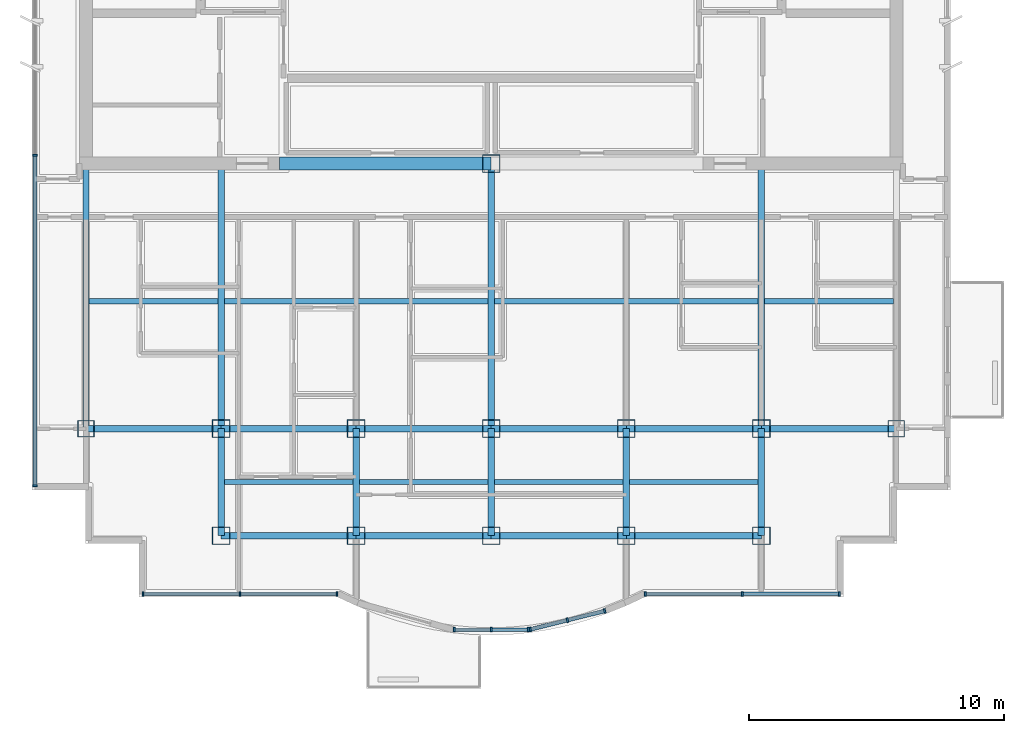
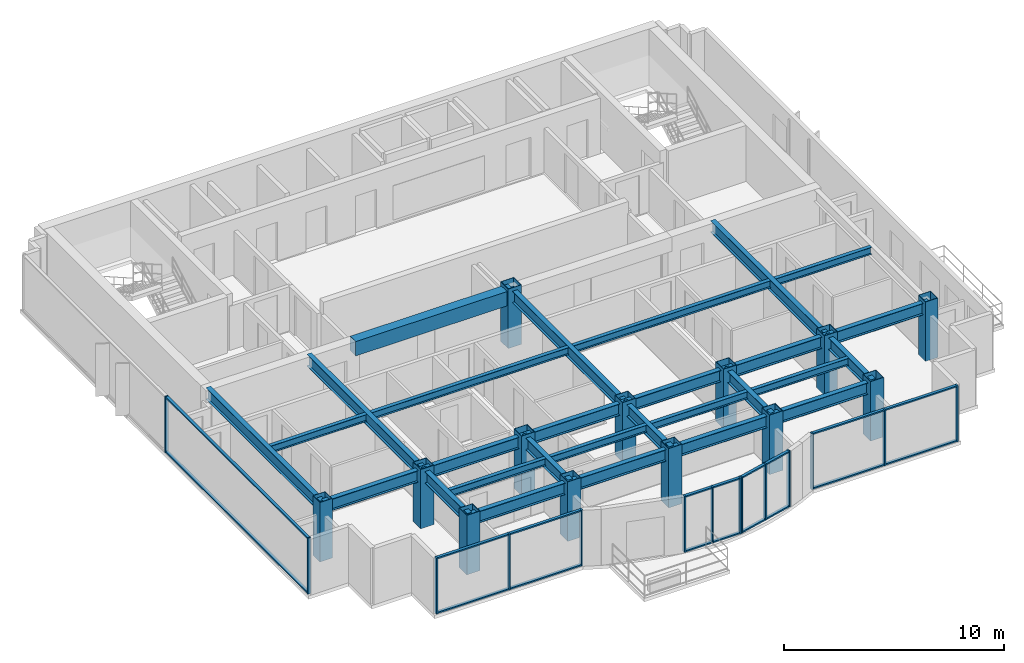
# One storey, part 1 of 9: 32 members, 28 beams, 13 columns, 5 elements without a shape of their own.
"""IFC4 building model written with IfcOpenShell, lengths in metres."""

from ifc_helpers import new_model, si_unit, direction, frame, origin, origin_2d, place, context, subcontext, project, spatial, rectangle, hollow_rectangle, i_section, extrude, source, transform, mapped, material, layer, layer_set, material_profile, profile_set, type_object, element, aggregate, save


model = new_model("IFC4")

# Units and contexts
model_context = context("Model", 3, precision=1e-05, world=origin(), true_north=direction((0.0, 1.0)))
body_context = subcontext(model_context, "Body", "Model", "MODEL_VIEW")
ifc_project = project(units=[si_unit("LENGTHUNIT", "METRE"), si_unit("AREAUNIT", "SQUARE_METRE"), si_unit("VOLUMEUNIT", "CUBIC_METRE"), si_unit("PLANEANGLEUNIT", "RADIAN"), si_unit("MASSUNIT", "GRAM", prefix="KILO")], contexts=[model_context])

# Site, building, storey
site_placement = place(None, origin())
site = spatial("IfcSite", under=ifc_project, at=site_placement, CompositionType="ELEMENT")
building_placement = place(site_placement, origin())
building = spatial("IfcBuilding", under=site, at=building_placement, Name="Qianlan Lanfeng Residences", CompositionType="ELEMENT")
storey_placement = place(building_placement, frame((0.0, 0.0, 242.89990234375)))
storey = spatial("IfcBuildingStorey", under=building, at=storey_placement, Name="L67", CompositionType="ELEMENT", Elevation=242.89990234375)

# Columns
ifc_material_1 = material(Name="Steel SN490B", Category="steel")
ifc_material_profile_1 = material_profile(ifc_material_1, hollow_rectangle(XDim=0.699951171875, YDim=0.699951171875, WallThickness=0.02490234375, at=origin_2d()), Name="BOX 700x700x25")
ifc_profile_set_1 = profile_set([ifc_material_profile_1], Name="Steel SN490B")
column_type_1 = type_object("IfcColumnType", Name="C-B750", PredefinedType="COLUMN", material=ifc_profile_set_1)
for number, where, z_axis, x_axis, name in (
    (1, (26.5, 25.199951171875, 0.0), (0.0, 0.0, 1.0), (1.0, 0.0, 0.0), "L67 Structural Column CP_26.5_25.2"),
    (2, (15.89990234375, 14.800048828125, 0.0), (0.0, 0.0, 1.0), (1.0, 0.0, 0.0), "L67 Structural Column M_15.90_14.80"),
    (3, (15.89990234375, 10.60009765625, 0.0), (0.0, 0.0, 1.0), (1.0, 0.0, 0.0), "L67 Structural Column G_15.90_10.60"),
    (4, (21.199951171875, 14.800048828125, 0.0), (0.0, 0.0, 1.0), (1.0, 0.0, 0.0), "L67 Structural Column M_21.20_14.80"),
    (5, (21.199951171875, 10.60009765625, 0.0), (0.0, 0.0, 1.0), (1.0, 0.0, 0.0), "L67 Structural Column G_21.20_10.60"),
    (6, (26.5, 14.800048828125, 0.0), (0.0, 0.0, 1.0), (1.0, 0.0, 0.0), "L67 Structural Column M_26.50_14.80"),
    (7, (26.5, 10.60009765625, 0.0), (0.0, 0.0, 1.0), (1.0, 0.0, 0.0), "L67 Structural Column G_26.50_10.60"),
    (8, (31.800048828125, 14.800048828125, 0.0), (0.0, 0.0, 1.0), (1.0, 0.0, 0.0), "L67 Structural Column M_31.80_14.80"),
    (9, (31.800048828125, 10.60009765625, 0.0), (0.0, 0.0, 1.0), (1.0, 0.0, 0.0), "L67 Structural Column G_31.80_10.60"),
    (10, (37.10009765625, 14.800048828125, 0.0), (0.0, 0.0, 1.0), (1.0, 0.0, 0.0), "L67 Structural Column M_37.10_14.80"),
    (11, (37.10009765625, 10.60009765625, 0.0), (0.0, 0.0, 1.0), (1.0, 0.0, 0.0), "L67 Structural Column G_37.10_10.60"),
):
    element("IfcColumn", number, at=place(storey_placement, frame(where, z_axis=z_axis, x_axis=x_axis)), inside=storey, type_object=column_type_1, Name=name, PredefinedType="COLUMN", context=body_context, shape_type="SweptSolid", body=[
        extrude(hollow_rectangle(XDim=0.699951171875, YDim=0.699951171875, WallThickness=0.02490234375, at=origin_2d()), origin(), (0.0, 0.0, 1.0), 3.300048828125),
    ])
ifc_material_profile_2 = material_profile(ifc_material_1, hollow_rectangle(XDim=0.64990234375, YDim=0.64990234375, WallThickness=0.02197265625, at=origin_2d()), Name="BOX 650x650x22")
ifc_profile_set_2 = profile_set([ifc_material_profile_2], Name="Steel SN490B")
column_type_2 = type_object("IfcColumnType", Name="CE-B700", PredefinedType="COLUMN", material=ifc_profile_set_2)
for number, where, z_axis, x_axis, name in (
    (12, (10.60009765625, 14.800048828125, 0.0), (0.0, 0.0, 1.0), (1.0, 0.0, 0.0), "L67 Structural Column M_10.60_14.80"),
    (13, (42.39990234375, 14.800048828125, 0.0), (0.0, 0.0, 1.0), (1.0, 0.0, 0.0), "L67 Structural Column M_42.40_14.80"),
):
    element("IfcColumn", number, at=place(storey_placement, frame(where, z_axis=z_axis, x_axis=x_axis)), inside=storey, type_object=column_type_2, Name=name, PredefinedType="COLUMN", context=body_context, shape_type="SweptSolid", body=[
        extrude(hollow_rectangle(XDim=0.64990234375, YDim=0.64990234375, WallThickness=0.02197265625, at=origin_2d()), origin(), (0.0, 0.0, 1.0), 3.300048828125),
    ])

# Beams
ifc_material_profile_3 = material_profile(ifc_material_1, i_section(OverallWidth=0.25, OverallDepth=0.64990234375, WebThickness=0.012939453125, FlangeThickness=0.02197265625, at=origin_2d()), Name="H 650x250x13x22")
ifc_profile_set_3 = profile_set([ifc_material_profile_3], Name="Steel SN490B")
beam_type_1 = type_object("IfcBeamType", Name="G-650", PredefinedType="BEAM", material=ifc_profile_set_3)
for number, where, z_axis, x_axis, name in (
    (14, (15.89990234375, 10.60009765625, 2.78515625), (1.0, 0.0, 0.0), (0.0, 1.0, 0.0), "Structural beam G-650"),
    (15, (21.199951171875, 10.60009765625, 2.78515625), (1.0, 0.0, 0.0), (0.0, 1.0, 0.0), "Structural beam G-650"),
    (16, (26.5, 10.60009765625, 2.78515625), (1.0, 0.0, 0.0), (0.0, 1.0, 0.0), "Structural beam G-650"),
    (17, (31.800048828125, 10.60009765625, 2.78515625), (1.0, 0.0, 0.0), (0.0, 1.0, 0.0), "Structural beam G-650"),
):
    element("IfcBeam", number, at=place(storey_placement, frame(where, z_axis=z_axis, x_axis=x_axis)), inside=storey, type_object=beam_type_1, Name=name, PredefinedType="BEAM", context=body_context, shape_type="SweptSolid", body=[
        extrude(i_section(OverallWidth=0.25, OverallDepth=0.64990234375, WebThickness=0.012939453125, FlangeThickness=0.02197265625, at=origin_2d()), origin(), (0.0, 0.0, 1.0), 5.300048828125),
    ])
beam_1_placement = place(storey_placement, frame((10.60009765625, 14.800048828125, 2.78515625), z_axis=(1.0, 0.0, 0.0), x_axis=(0.0, 1.0, 0.0)))
element("IfcBeam", 18, at=beam_1_placement, inside=storey, type_object=beam_type_1, Name="Structural beam G-650", PredefinedType="BEAM", context=body_context, shape_type="SweptSolid", body=[
    extrude(i_section(OverallWidth=0.25, OverallDepth=0.64990234375, WebThickness=0.012939453125, FlangeThickness=0.02197265625, at=origin_2d()), origin(), (0.0, 0.0, 1.0), 5.2998046875),
])
for number, where, z_axis, x_axis, name in (
    (19, (15.89990234375, 14.800048828125, 2.78515625), (1.0, 0.0, 0.0), (0.0, 1.0, 0.0), "Structural beam G-650"),
    (20, (21.199951171875, 14.800048828125, 2.78515625), (1.0, 0.0, 0.0), (0.0, 1.0, 0.0), "Structural beam G-650"),
    (21, (26.5, 14.800048828125, 2.78515625), (1.0, 0.0, 0.0), (0.0, 1.0, 0.0), "Structural beam G-650"),
    (22, (31.800048828125, 14.800048828125, 2.78515625), (1.0, 0.0, 0.0), (0.0, 1.0, 0.0), "Structural beam G-650"),
):
    element("IfcBeam", number, at=place(storey_placement, frame(where, z_axis=z_axis, x_axis=x_axis)), inside=storey, type_object=beam_type_1, Name=name, PredefinedType="BEAM", context=body_context, shape_type="SweptSolid", body=[
        extrude(i_section(OverallWidth=0.25, OverallDepth=0.64990234375, WebThickness=0.012939453125, FlangeThickness=0.02197265625, at=origin_2d()), origin(), (0.0, 0.0, 1.0), 5.300048828125),
    ])
beam_2_placement = place(storey_placement, frame((37.10009765625, 14.800048828125, 2.78515625), z_axis=(1.0, 0.0, 0.0), x_axis=(0.0, 1.0, 0.0)))
element("IfcBeam", 23, at=beam_2_placement, inside=storey, type_object=beam_type_1, Name="Structural beam G-650", PredefinedType="BEAM", context=body_context, shape_type="SweptSolid", body=[
    extrude(i_section(OverallWidth=0.25, OverallDepth=0.64990234375, WebThickness=0.012939453125, FlangeThickness=0.02197265625, at=origin_2d()), origin(), (0.0, 0.0, 1.0), 5.2998046875),
])
beam_3_placement = place(storey_placement, frame((10.60009765625, 14.800048828125, 2.78515625), z_axis=(0.0, 1.0, 0.0), x_axis=(-1.0, 0.0, 0.0)))
element("IfcBeam", 24, at=beam_3_placement, inside=storey, type_object=beam_type_1, Name="Structural beam G-650", PredefinedType="BEAM", context=body_context, shape_type="SweptSolid", body=[
    extrude(i_section(OverallWidth=0.25, OverallDepth=0.64990234375, WebThickness=0.012939453125, FlangeThickness=0.02197265625, at=origin_2d()), origin(), (0.0, 0.0, 1.0), 10.39990234375),
])
beam_4_placement = place(storey_placement, frame((15.89990234375, 10.60009765625, 2.78515625), z_axis=(0.0, 1.0, 0.0), x_axis=(-1.0, 0.0, 0.0)))
element("IfcBeam", 25, at=beam_4_placement, inside=storey, type_object=beam_type_1, Name="Structural beam G-650", PredefinedType="BEAM", context=body_context, shape_type="SweptSolid", body=[
    extrude(i_section(OverallWidth=0.25, OverallDepth=0.64990234375, WebThickness=0.012939453125, FlangeThickness=0.02197265625, at=origin_2d()), origin(), (0.0, 0.0, 1.0), 4.199951171875),
])
beam_5_placement = place(storey_placement, frame((15.89990234375, 14.800048828125, 2.78515625), z_axis=(0.0, 1.0, 0.0), x_axis=(-1.0, 0.0, 0.0)))
element("IfcBeam", 26, at=beam_5_placement, inside=storey, type_object=beam_type_1, Name="Structural beam G-650", PredefinedType="BEAM", context=body_context, shape_type="SweptSolid", body=[
    extrude(i_section(OverallWidth=0.25, OverallDepth=0.64990234375, WebThickness=0.012939453125, FlangeThickness=0.02197265625, at=origin_2d()), origin(), (0.0, 0.0, 1.0), 10.39990234375),
])
for number, where, z_axis, x_axis, name in (
    (27, (21.199951171875, 10.60009765625, 2.78515625), (0.0, 1.0, 0.0), (-1.0, 0.0, 0.0), "Structural beam G-650"),
    (28, (26.5, 10.60009765625, 2.78515625), (0.0, 1.0, 0.0), (-1.0, 0.0, 0.0), "Structural beam G-650"),
):
    element("IfcBeam", number, at=place(storey_placement, frame(where, z_axis=z_axis, x_axis=x_axis)), inside=storey, type_object=beam_type_1, Name=name, PredefinedType="BEAM", context=body_context, shape_type="SweptSolid", body=[
        extrude(i_section(OverallWidth=0.25, OverallDepth=0.64990234375, WebThickness=0.012939453125, FlangeThickness=0.02197265625, at=origin_2d()), origin(), (0.0, 0.0, 1.0), 4.199951171875),
    ])
beam_6_placement = place(storey_placement, frame((26.5, 14.800048828125, 2.78515625), z_axis=(0.0, 1.0, 0.0), x_axis=(-1.0, 0.0, 0.0)))
element("IfcBeam", 29, at=beam_6_placement, inside=storey, type_object=beam_type_1, Name="Structural beam G-650", PredefinedType="BEAM", context=body_context, shape_type="SweptSolid", body=[
    extrude(i_section(OverallWidth=0.25, OverallDepth=0.64990234375, WebThickness=0.012939453125, FlangeThickness=0.02197265625, at=origin_2d()), origin(), (0.0, 0.0, 1.0), 10.39990234375),
])
for number, where, z_axis, x_axis, name in (
    (30, (31.800048828125, 10.60009765625, 2.78515625), (0.0, 1.0, 0.0), (-1.0, 0.0, 0.0), "Structural beam G-650"),
    (31, (37.10009765625, 10.60009765625, 2.78515625), (0.0, 1.0, 0.0), (-1.0, 0.0, 0.0), "Structural beam G-650"),
):
    element("IfcBeam", number, at=place(storey_placement, frame(where, z_axis=z_axis, x_axis=x_axis)), inside=storey, type_object=beam_type_1, Name=name, PredefinedType="BEAM", context=body_context, shape_type="SweptSolid", body=[
        extrude(i_section(OverallWidth=0.25, OverallDepth=0.64990234375, WebThickness=0.012939453125, FlangeThickness=0.02197265625, at=origin_2d()), origin(), (0.0, 0.0, 1.0), 4.199951171875),
    ])
beam_7_placement = place(storey_placement, frame((37.10009765625, 14.800048828125, 2.78515625), z_axis=(0.0, 1.0, 0.0), x_axis=(-1.0, 0.0, 0.0)))
element("IfcBeam", 32, at=beam_7_placement, inside=storey, type_object=beam_type_1, Name="Structural beam G-650", PredefinedType="BEAM", context=body_context, shape_type="SweptSolid", body=[
    extrude(i_section(OverallWidth=0.25, OverallDepth=0.64990234375, WebThickness=0.012939453125, FlangeThickness=0.02197265625, at=origin_2d()), origin(), (0.0, 0.0, 1.0), 10.39990234375),
])
ifc_material_profile_4 = material_profile(ifc_material_1, i_section(OverallWidth=0.199951171875, OverallDepth=0.39990234375, WebThickness=0.008056640625, FlangeThickness=0.012939453125, at=origin_2d()), Name="H 400x200x8x13")
ifc_profile_set_4 = profile_set([ifc_material_profile_4], Name="Steel SN490B")
beam_type_2 = type_object("IfcBeamType", Name="J-400", PredefinedType="JOIST", material=ifc_profile_set_4)
for number, where, z_axis, x_axis, name in (
    (33, (16.02490234375, 12.699951171875, 2.91015625), (1.0, 0.0, 0.0), (0.0, 1.0, 0.0), "Structural beam J-400"),
    (34, (21.324951171875, 12.699951171875, 2.91015625), (1.0, 0.0, 0.0), (0.0, 1.0, 0.0), "Structural beam J-400"),
    (35, (26.625, 12.699951171875, 2.91015625), (1.0, 0.0, 0.0), (0.0, 1.0, 0.0), "Structural beam J-400"),
    (36, (31.925048828125, 12.699951171875, 2.91015625), (1.0, 0.0, 0.0), (0.0, 1.0, 0.0), "Structural beam J-400"),
):
    element("IfcBeam", number, at=place(storey_placement, frame(where, z_axis=z_axis, x_axis=x_axis)), inside=storey, type_object=beam_type_2, Name=name, PredefinedType="JOIST", context=body_context, shape_type="SweptSolid", body=[
        extrude(i_section(OverallWidth=0.199951171875, OverallDepth=0.39990234375, WebThickness=0.008056640625, FlangeThickness=0.012939453125, at=origin_2d()), origin(), (0.0, 0.0, 1.0), 5.050048828125),
    ])
beam_8_placement = place(storey_placement, frame((10.72509765625, 19.800048828125, 2.91015625), z_axis=(1.0, 0.0, 0.0), x_axis=(0.0, 1.0, 0.0)))
element("IfcBeam", 37, at=beam_8_placement, inside=storey, type_object=beam_type_2, Name="Structural beam J-400", PredefinedType="JOIST", context=body_context, shape_type="SweptSolid", body=[
    extrude(i_section(OverallWidth=0.199951171875, OverallDepth=0.39990234375, WebThickness=0.008056640625, FlangeThickness=0.012939453125, at=origin_2d()), origin(), (0.0, 0.0, 1.0), 5.0498046875),
])
for number, where, z_axis, x_axis, name in (
    (38, (16.02490234375, 19.800048828125, 2.91015625), (1.0, 0.0, 0.0), (0.0, 1.0, 0.0), "Structural beam J-400"),
    (39, (26.625, 19.800048828125, 2.91015625), (1.0, 0.0, 0.0), (0.0, 1.0, 0.0), "Structural beam J-400"),
):
    element("IfcBeam", number, at=place(storey_placement, frame(where, z_axis=z_axis, x_axis=x_axis)), inside=storey, type_object=beam_type_2, Name=name, PredefinedType="JOIST", context=body_context, shape_type="SweptSolid", body=[
        extrude(i_section(OverallWidth=0.199951171875, OverallDepth=0.39990234375, WebThickness=0.008056640625, FlangeThickness=0.012939453125, at=origin_2d()), origin(), (0.0, 0.0, 1.0), 10.35009765625),
    ])
beam_9_placement = place(storey_placement, frame((37.22509765625, 19.800048828125, 2.91015625), z_axis=(1.0, 0.0, 0.0), x_axis=(0.0, 1.0, 0.0)))
element("IfcBeam", 40, at=beam_9_placement, inside=storey, type_object=beam_type_2, Name="Structural beam J-400", PredefinedType="JOIST", context=body_context, shape_type="SweptSolid", body=[
    extrude(i_section(OverallWidth=0.199951171875, OverallDepth=0.39990234375, WebThickness=0.008056640625, FlangeThickness=0.012939453125, at=origin_2d()), origin(), (0.0, 0.0, 1.0), 5.0498046875),
])
ifc_material_2 = material(Name="Concrete C49", Category="concrete")
ifc_material_profile_5 = material_profile(ifc_material_2, rectangle(XDim=0.5, YDim=0.800048828125, at=origin_2d()), Name="RC 500x800")
ifc_profile_set_5 = profile_set([ifc_material_profile_5], Name="Concrete C49")
beam_type_3 = type_object("IfcBeamType", Name="LB-RC750", PredefinedType="BEAM", material=ifc_profile_set_5)
beam_10_placement = place(storey_placement, frame((18.199951171875, 25.199951171875, 2.710205078125), z_axis=(1.0, 0.0, 0.0), x_axis=(0.0, 1.0, 0.0)))
element("IfcBeam", 41, at=beam_10_placement, inside=storey, type_object=beam_type_3, Name="L67 Core Coupling Beam W", PredefinedType="BEAM", context=body_context, shape_type="SweptSolid", body=[
    extrude(rectangle(XDim=0.5, YDim=0.800048828125, at=origin_2d()), origin(), (0.0, 0.0, 1.0), 8.300048828125),
])

# Curtain wall, members
ifc_material_3 = material(Name="Anodised Bronze Aluminium 6063-T6", Category="aluminium")
ifc_layer = layer(ifc_material_3, 0.219970703125)
ifc_layer_set = layer_set([ifc_layer], Name="Anodised Bronze Aluminium 6063-T6")
curtain_wall_type = type_object("IfcCurtainWallType", Name="CW-06", PredefinedType="NOTDEFINED", material=ifc_layer_set)
curtain_wall_1_placement = place(storey_placement, origin())
curtain_wall_1 = element("IfcCurtainWall", 42, at=curtain_wall_1_placement, inside=storey, type_object=curtain_wall_type, Name="L67 Unitised Curtain Wall CWR-L67-01 (CW-06)", PredefinedType="NOTDEFINED")
ifc_material_profile_6 = material_profile(ifc_material_3, rectangle(XDim=0.074951171875, YDim=0.179931640625, at=origin_2d()), Name="ALU MULLION 75x180")
ifc_profile_set_6 = profile_set([ifc_material_profile_6], Name="Anodised Bronze Aluminium 6063-T6")
member_type_1 = type_object("IfcMemberType", Name="CWM-180", PredefinedType="MULLION", material=ifc_profile_set_6)
shared_shape_1 = source(origin(), body_context, "Body", "SweptSolid", [
    extrude(rectangle(XDim=0.074951171875, YDim=0.179931640625, at=origin_2d()), origin(), (0.0, 0.0, 1.0), 3.110107421875),
])
member_1_placement = place(storey_placement, frame((12.83740234375, 8.320068359375, 0.0), z_axis=(0.0, 0.0, 1.0), x_axis=(1.0, 0.0, 0.0)))
member_1 = element("IfcMember", 43, at=member_1_placement, type_object=member_type_1, Name="CWR-L67-01 Mullion 1", PredefinedType="MULLION", context=body_context, shape_type="MappedRepresentation", body=[
    mapped(shared_shape_1, transform((0.0, 0.0, 0.0), scale=1.0)),
])
member_2_placement = place(storey_placement, frame((16.6435546875, 8.320068359375, 0.0), z_axis=(0.0, 0.0, 1.0), x_axis=(1.0, 0.0, 0.0)))
member_2 = element("IfcMember", 44, at=member_2_placement, type_object=member_type_1, Name="CWR-L67-01 Mullion 2", PredefinedType="MULLION", context=body_context, shape_type="MappedRepresentation", body=[
    mapped(shared_shape_1, transform((0.0, 0.0, 0.0), scale=1.0)),
])
member_3_placement = place(storey_placement, frame((20.449462890625, 8.320068359375, 0.0), z_axis=(0.0, 0.0, 1.0), x_axis=(1.0, 0.0, 0.0)))
member_3 = element("IfcMember", 45, at=member_3_placement, type_object=member_type_1, Name="CWR-L67-01 Mullion 3", PredefinedType="MULLION", context=body_context, shape_type="MappedRepresentation", body=[
    mapped(shared_shape_1, transform((0.0, 0.0, 0.0), scale=1.0)),
])

curtain_wall_2_placement = place(storey_placement, origin())
curtain_wall_2 = element("IfcCurtainWall", 46, at=curtain_wall_2_placement, inside=storey, type_object=curtain_wall_type, Name="L67 Unitised Curtain Wall CWR-L67-02 (CW-06)", PredefinedType="NOTDEFINED")
member_4_placement = place(storey_placement, frame((25.04248046875, 6.9130859375, 0.0), z_axis=(0.0, 0.0, 1.0), x_axis=(1.0, 0.0, 0.0)))
member_4 = element("IfcMember", 47, at=member_4_placement, type_object=member_type_1, Name="CWR-L67-02 Mullion 1", PredefinedType="MULLION", context=body_context, shape_type="MappedRepresentation", body=[
    mapped(shared_shape_1, transform((0.0, 0.0, 0.0), scale=1.0)),
])
member_5_placement = place(storey_placement, frame((26.5, 6.9130859375, 0.0), z_axis=(0.0, 0.0, 1.0), x_axis=(1.0, 0.0, 0.0)))
member_5 = element("IfcMember", 48, at=member_5_placement, type_object=member_type_1, Name="CWR-L67-02 Mullion 2", PredefinedType="MULLION", context=body_context, shape_type="MappedRepresentation", body=[
    mapped(shared_shape_1, transform((0.0, 0.0, 0.0), scale=1.0)),
])
member_6_placement = place(storey_placement, frame((27.95751953125, 6.9130859375, 0.0), z_axis=(0.0, 0.0, 1.0), x_axis=(1.0, 0.0, 0.0)))
member_6 = element("IfcMember", 49, at=member_6_placement, type_object=member_type_1, Name="CWR-L67-02 Mullion 3", PredefinedType="MULLION", context=body_context, shape_type="MappedRepresentation", body=[
    mapped(shared_shape_1, transform((0.0, 0.0, 0.0), scale=1.0)),
])

curtain_wall_3_placement = place(storey_placement, origin())
curtain_wall_3 = element("IfcCurtainWall", 50, at=curtain_wall_3_placement, inside=storey, type_object=curtain_wall_type, Name="L67 Unitised Curtain Wall CWR-L67-03 (CW-06)", PredefinedType="NOTDEFINED")
member_7_placement = place(storey_placement, frame((28.031494140625, 6.922119140625, 0.0), z_axis=(0.0, 0.0, 1.0), x_axis=(0.970466067332, 0.241237667369, 0.0)))
member_7 = element("IfcMember", 51, at=member_7_placement, type_object=member_type_1, Name="CWR-L67-03 Mullion 1", PredefinedType="MULLION", context=body_context, shape_type="MappedRepresentation", body=[
    mapped(shared_shape_1, transform((0.0, 0.0, 0.0), scale=1.0)),
])
member_8_placement = place(storey_placement, frame((29.491455078125, 7.284912109375, 0.0), z_axis=(0.0, 0.0, 1.0), x_axis=(0.970466067332, 0.241237667369, 0.0)))
member_8 = element("IfcMember", 52, at=member_8_placement, type_object=member_type_1, Name="CWR-L67-03 Mullion 2", PredefinedType="MULLION", context=body_context, shape_type="MappedRepresentation", body=[
    mapped(shared_shape_1, transform((0.0, 0.0, 0.0), scale=1.0)),
])
member_9_placement = place(storey_placement, frame((30.95166015625, 7.64794921875, 0.0), z_axis=(0.0, 0.0, 1.0), x_axis=(0.970466067332, 0.241237667369, 0.0)))
member_9 = element("IfcMember", 53, at=member_9_placement, type_object=member_type_1, Name="CWR-L67-03 Mullion 3", PredefinedType="MULLION", context=body_context, shape_type="MappedRepresentation", body=[
    mapped(shared_shape_1, transform((0.0, 0.0, 0.0), scale=1.0)),
])

curtain_wall_4_placement = place(storey_placement, origin())
curtain_wall_4 = element("IfcCurtainWall", 54, at=curtain_wall_4_placement, inside=storey, type_object=curtain_wall_type, Name="L67 Unitised Curtain Wall CWR-L67-04 (CW-06)", PredefinedType="NOTDEFINED")
member_10_placement = place(storey_placement, frame((32.550537109375, 8.320068359375, 0.0), z_axis=(0.0, 0.0, 1.0), x_axis=(1.0, 0.0, 0.0)))
member_10 = element("IfcMember", 55, at=member_10_placement, type_object=member_type_1, Name="CWR-L67-04 Mullion 1", PredefinedType="MULLION", context=body_context, shape_type="MappedRepresentation", body=[
    mapped(shared_shape_1, transform((0.0, 0.0, 0.0), scale=1.0)),
])
member_11_placement = place(storey_placement, frame((36.3564453125, 8.320068359375, 0.0), z_axis=(0.0, 0.0, 1.0), x_axis=(1.0, 0.0, 0.0)))
member_11 = element("IfcMember", 56, at=member_11_placement, type_object=member_type_1, Name="CWR-L67-04 Mullion 2", PredefinedType="MULLION", context=body_context, shape_type="MappedRepresentation", body=[
    mapped(shared_shape_1, transform((0.0, 0.0, 0.0), scale=1.0)),
])
member_12_placement = place(storey_placement, frame((40.16259765625, 8.320068359375, 0.0), z_axis=(0.0, 0.0, 1.0), x_axis=(1.0, 0.0, 0.0)))
member_12 = element("IfcMember", 57, at=member_12_placement, type_object=member_type_1, Name="CWR-L67-04 Mullion 3", PredefinedType="MULLION", context=body_context, shape_type="MappedRepresentation", body=[
    mapped(shared_shape_1, transform((0.0, 0.0, 0.0), scale=1.0)),
])

curtain_wall_5_placement = place(storey_placement, origin())
curtain_wall_5 = element("IfcCurtainWall", 58, at=curtain_wall_5_placement, inside=storey, type_object=curtain_wall_type, Name="L67 Unitised Curtain Wall CWR-L67-05 (CW-06)", PredefinedType="NOTDEFINED")
member_13_placement = place(storey_placement, frame((8.60009765625, 25.52490234375, 0.0), z_axis=(0.0, 0.0, 1.0), x_axis=(0.0, -1.0, 0.0)))
member_13 = element("IfcMember", 59, at=member_13_placement, type_object=member_type_1, Name="CWR-L67-05 Mullion 2", PredefinedType="MULLION", context=body_context, shape_type="MappedRepresentation", body=[
    mapped(shared_shape_1, transform((0.0, 0.0, 0.0), scale=1.0)),
])
member_14_placement = place(storey_placement, frame((8.60009765625, 12.5576171875, 0.0), z_axis=(0.0, 0.0, 1.0), x_axis=(0.0, -1.0, 0.0)))
member_14 = element("IfcMember", 60, at=member_14_placement, type_object=member_type_1, Name="CWR-L67-05 Mullion 3", PredefinedType="MULLION", context=body_context, shape_type="MappedRepresentation", body=[
    mapped(shared_shape_1, transform((0.0, 0.0, 0.0), scale=1.0)),
])

# Member
ifc_material_profile_7 = material_profile(ifc_material_3, rectangle(XDim=0.074951171875, YDim=0.14990234375, at=origin_2d()), Name="ALU TRANSOM 75x150")
ifc_profile_set_7 = profile_set([ifc_material_profile_7], Name="Anodised Bronze Aluminium 6063-T6")
member_type_2 = type_object("IfcMemberType", Name="CWT-150", PredefinedType="USERDEFINED", material=ifc_profile_set_7)
shared_shape_2 = source(origin(), body_context, "Body", "SweptSolid", [
    extrude(rectangle(XDim=0.074951171875, YDim=0.14990234375, at=origin_2d()), origin(), (0.0, 0.0, 1.0), 3.73095703125),
])
member_15_placement = place(storey_placement, frame((12.875, 8.320068359375, 0.03759765625), z_axis=(1.0, 0.0, 0.0), x_axis=(0.0, 0.0, 1.0)))
member_15 = element("IfcMember", 61, at=member_15_placement, type_object=member_type_2, Name="CWR-L67-01 Transom 1-BOT", ObjectType="TRANSOM", PredefinedType="USERDEFINED", context=body_context, shape_type="MappedRepresentation", body=[
    mapped(shared_shape_2, transform((0.0, 0.0, 0.0), scale=1.0)),
])

member_16_placement = place(storey_placement, frame((12.875, 8.320068359375, 3.072509765625), z_axis=(1.0, 0.0, 0.0), x_axis=(0.0, 0.0, 1.0)))
member_16 = element("IfcMember", 62, at=member_16_placement, type_object=member_type_2, Name="CWR-L67-01 Transom 1-TOP", ObjectType="TRANSOM", PredefinedType="USERDEFINED", context=body_context, shape_type="MappedRepresentation", body=[
    mapped(shared_shape_2, transform((0.0, 0.0, 0.0), scale=1.0)),
])

member_17_placement = place(storey_placement, frame((36.39404296875, 8.320068359375, 0.03759765625), z_axis=(1.0, 0.0, 0.0), x_axis=(0.0, 0.0, 1.0)))
member_17 = element("IfcMember", 63, at=member_17_placement, type_object=member_type_2, Name="CWR-L67-04 Transom 2-BOT", ObjectType="TRANSOM", PredefinedType="USERDEFINED", context=body_context, shape_type="MappedRepresentation", body=[
    mapped(shared_shape_2, transform((0.0, 0.0, 0.0), scale=1.0)),
])

member_18_placement = place(storey_placement, frame((36.39404296875, 8.320068359375, 3.072509765625), z_axis=(1.0, 0.0, 0.0), x_axis=(0.0, 0.0, 1.0)))
member_18 = element("IfcMember", 64, at=member_18_placement, type_object=member_type_2, Name="CWR-L67-04 Transom 2-TOP", ObjectType="TRANSOM", PredefinedType="USERDEFINED", context=body_context, shape_type="MappedRepresentation", body=[
    mapped(shared_shape_2, transform((0.0, 0.0, 0.0), scale=1.0)),
])

shared_shape_3 = source(origin(), body_context, "Body", "SweptSolid", [
    extrude(rectangle(XDim=0.074951171875, YDim=0.14990234375, at=origin_2d()), origin(), (0.0, 0.0, 1.0), 3.731201171875),
])
member_19_placement = place(storey_placement, frame((16.680908203125, 8.320068359375, 0.03759765625), z_axis=(1.0, 0.0, 0.0), x_axis=(0.0, 0.0, 1.0)))
member_19 = element("IfcMember", 65, at=member_19_placement, type_object=member_type_2, Name="CWR-L67-01 Transom 2-BOT", ObjectType="TRANSOM", PredefinedType="USERDEFINED", context=body_context, shape_type="MappedRepresentation", body=[
    mapped(shared_shape_3, transform((0.0, 0.0, 0.0), scale=1.0)),
])

member_20_placement = place(storey_placement, frame((16.680908203125, 8.320068359375, 3.072509765625), z_axis=(1.0, 0.0, 0.0), x_axis=(0.0, 0.0, 1.0)))
member_20 = element("IfcMember", 66, at=member_20_placement, type_object=member_type_2, Name="CWR-L67-01 Transom 2-TOP", ObjectType="TRANSOM", PredefinedType="USERDEFINED", context=body_context, shape_type="MappedRepresentation", body=[
    mapped(shared_shape_3, transform((0.0, 0.0, 0.0), scale=1.0)),
])

aggregate(curtain_wall_1, [member_1, member_2, member_3, member_15, member_16, member_19, member_20])

member_21_placement = place(storey_placement, frame((32.587890625, 8.320068359375, 0.03759765625), z_axis=(1.0, 0.0, 0.0), x_axis=(0.0, 0.0, 1.0)))
member_21 = element("IfcMember", 67, at=member_21_placement, type_object=member_type_2, Name="CWR-L67-04 Transom 1-BOT", ObjectType="TRANSOM", PredefinedType="USERDEFINED", context=body_context, shape_type="MappedRepresentation", body=[
    mapped(shared_shape_3, transform((0.0, 0.0, 0.0), scale=1.0)),
])

member_22_placement = place(storey_placement, frame((32.587890625, 8.320068359375, 3.072509765625), z_axis=(1.0, 0.0, 0.0), x_axis=(0.0, 0.0, 1.0)))
member_22 = element("IfcMember", 68, at=member_22_placement, type_object=member_type_2, Name="CWR-L67-04 Transom 1-TOP", ObjectType="TRANSOM", PredefinedType="USERDEFINED", context=body_context, shape_type="MappedRepresentation", body=[
    mapped(shared_shape_3, transform((0.0, 0.0, 0.0), scale=1.0)),
])

aggregate(curtain_wall_4, [member_10, member_11, member_12, member_21, member_22, member_17, member_18])

shared_shape_4 = source(origin(), body_context, "Body", "SweptSolid", [
    extrude(rectangle(XDim=0.074951171875, YDim=0.14990234375, at=origin_2d()), origin(), (0.0, 0.0, 1.0), 12.892578125),
])
member_23_placement = place(storey_placement, frame((8.60009765625, 25.487548828125, 0.03759765625), z_axis=(0.0, -1.0, 0.0), x_axis=(0.0, 0.0, 1.0)))
member_23 = element("IfcMember", 69, at=member_23_placement, type_object=member_type_2, Name="CWR-L67-05 Transom 2-BOT", ObjectType="TRANSOM", PredefinedType="USERDEFINED", context=body_context, shape_type="MappedRepresentation", body=[
    mapped(shared_shape_4, transform((0.0, 0.0, 0.0), scale=1.0)),
])

member_24_placement = place(storey_placement, frame((8.60009765625, 25.487548828125, 3.072509765625), z_axis=(0.0, -1.0, 0.0), x_axis=(0.0, 0.0, 1.0)))
member_24 = element("IfcMember", 70, at=member_24_placement, type_object=member_type_2, Name="CWR-L67-05 Transom 2-TOP", ObjectType="TRANSOM", PredefinedType="USERDEFINED", context=body_context, shape_type="MappedRepresentation", body=[
    mapped(shared_shape_4, transform((0.0, 0.0, 0.0), scale=1.0)),
])

aggregate(curtain_wall_5, [member_13, member_14, member_23, member_24])

shared_shape_5 = source(origin(), body_context, "Body", "SweptSolid", [
    extrude(rectangle(XDim=0.074951171875, YDim=0.14990234375, at=origin_2d()), origin(), (0.0, 0.0, 1.0), 1.38232421875),
])
member_25_placement = place(storey_placement, frame((25.080078125, 6.9130859375, 0.03759765625), z_axis=(1.0, 0.0, 0.0), x_axis=(0.0, 0.0, 1.0)))
member_25 = element("IfcMember", 71, at=member_25_placement, type_object=member_type_2, Name="CWR-L67-02 Transom 1-BOT", ObjectType="TRANSOM", PredefinedType="USERDEFINED", context=body_context, shape_type="MappedRepresentation", body=[
    mapped(shared_shape_5, transform((0.0, 0.0, 0.0), scale=1.0)),
])

member_26_placement = place(storey_placement, frame((25.080078125, 6.9130859375, 3.072509765625), z_axis=(1.0, 0.0, 0.0), x_axis=(0.0, 0.0, 1.0)))
member_26 = element("IfcMember", 72, at=member_26_placement, type_object=member_type_2, Name="CWR-L67-02 Transom 1-TOP", ObjectType="TRANSOM", PredefinedType="USERDEFINED", context=body_context, shape_type="MappedRepresentation", body=[
    mapped(shared_shape_5, transform((0.0, 0.0, 0.0), scale=1.0)),
])

member_27_placement = place(storey_placement, frame((26.53759765625, 6.9130859375, 0.03759765625), z_axis=(1.0, 0.0, 0.0), x_axis=(0.0, 0.0, 1.0)))
member_27 = element("IfcMember", 73, at=member_27_placement, type_object=member_type_2, Name="CWR-L67-02 Transom 2-BOT", ObjectType="TRANSOM", PredefinedType="USERDEFINED", context=body_context, shape_type="MappedRepresentation", body=[
    mapped(shared_shape_5, transform((0.0, 0.0, 0.0), scale=1.0)),
])

member_28_placement = place(storey_placement, frame((26.53759765625, 6.9130859375, 3.072509765625), z_axis=(1.0, 0.0, 0.0), x_axis=(0.0, 0.0, 1.0)))
member_28 = element("IfcMember", 74, at=member_28_placement, type_object=member_type_2, Name="CWR-L67-02 Transom 2-TOP", ObjectType="TRANSOM", PredefinedType="USERDEFINED", context=body_context, shape_type="MappedRepresentation", body=[
    mapped(shared_shape_5, transform((0.0, 0.0, 0.0), scale=1.0)),
])

aggregate(curtain_wall_2, [member_4, member_5, member_6, member_25, member_26, member_27, member_28])

shared_shape_6 = source(origin(), body_context, "Body", "SweptSolid", [
    extrude(rectangle(XDim=0.074951171875, YDim=0.14990234375, at=origin_2d()), origin(), (0.0, 0.0, 1.0), 1.429443359375),
])
member_29_placement = place(storey_placement, frame((28.06787109375, 6.93115234375, 0.03759765625), z_axis=(0.970483137028, 0.241168987941, 0.0), x_axis=(0.0, 0.0, 1.0)))
member_29 = element("IfcMember", 75, at=member_29_placement, type_object=member_type_2, Name="CWR-L67-03 Transom 1-BOT", ObjectType="TRANSOM", PredefinedType="USERDEFINED", context=body_context, shape_type="MappedRepresentation", body=[
    mapped(shared_shape_6, transform((0.0, 0.0, 0.0), scale=1.0)),
])

member_30_placement = place(storey_placement, frame((28.06787109375, 6.93115234375, 3.072509765625), z_axis=(0.970483137028, 0.241168987941, 0.0), x_axis=(0.0, 0.0, 1.0)))
member_30 = element("IfcMember", 76, at=member_30_placement, type_object=member_type_2, Name="CWR-L67-03 Transom 1-TOP", ObjectType="TRANSOM", PredefinedType="USERDEFINED", context=body_context, shape_type="MappedRepresentation", body=[
    mapped(shared_shape_6, transform((0.0, 0.0, 0.0), scale=1.0)),
])

shared_shape_7 = source(origin(), body_context, "Body", "SweptSolid", [
    extrude(rectangle(XDim=0.074951171875, YDim=0.14990234375, at=origin_2d()), origin(), (0.0, 0.0, 1.0), 1.4296875),
])
member_31_placement = place(storey_placement, frame((29.52783203125, 7.2939453125, 0.03759765625), z_axis=(0.970453094131, 0.241289850784, 0.0), x_axis=(0.0, 0.0, 1.0)))
member_31 = element("IfcMember", 77, at=member_31_placement, type_object=member_type_2, Name="CWR-L67-03 Transom 2-BOT", ObjectType="TRANSOM", PredefinedType="USERDEFINED", context=body_context, shape_type="MappedRepresentation", body=[
    mapped(shared_shape_7, transform((0.0, 0.0, 0.0), scale=1.0)),
])

member_32_placement = place(storey_placement, frame((29.52783203125, 7.2939453125, 3.072509765625), z_axis=(0.970453094131, 0.241289850784, 0.0), x_axis=(0.0, 0.0, 1.0)))
member_32 = element("IfcMember", 78, at=member_32_placement, type_object=member_type_2, Name="CWR-L67-03 Transom 2-TOP", ObjectType="TRANSOM", PredefinedType="USERDEFINED", context=body_context, shape_type="MappedRepresentation", body=[
    mapped(shared_shape_7, transform((0.0, 0.0, 0.0), scale=1.0)),
])

aggregate(curtain_wall_3, [member_7, member_8, member_9, member_29, member_30, member_31, member_32])

save(model, "model.ifc")
